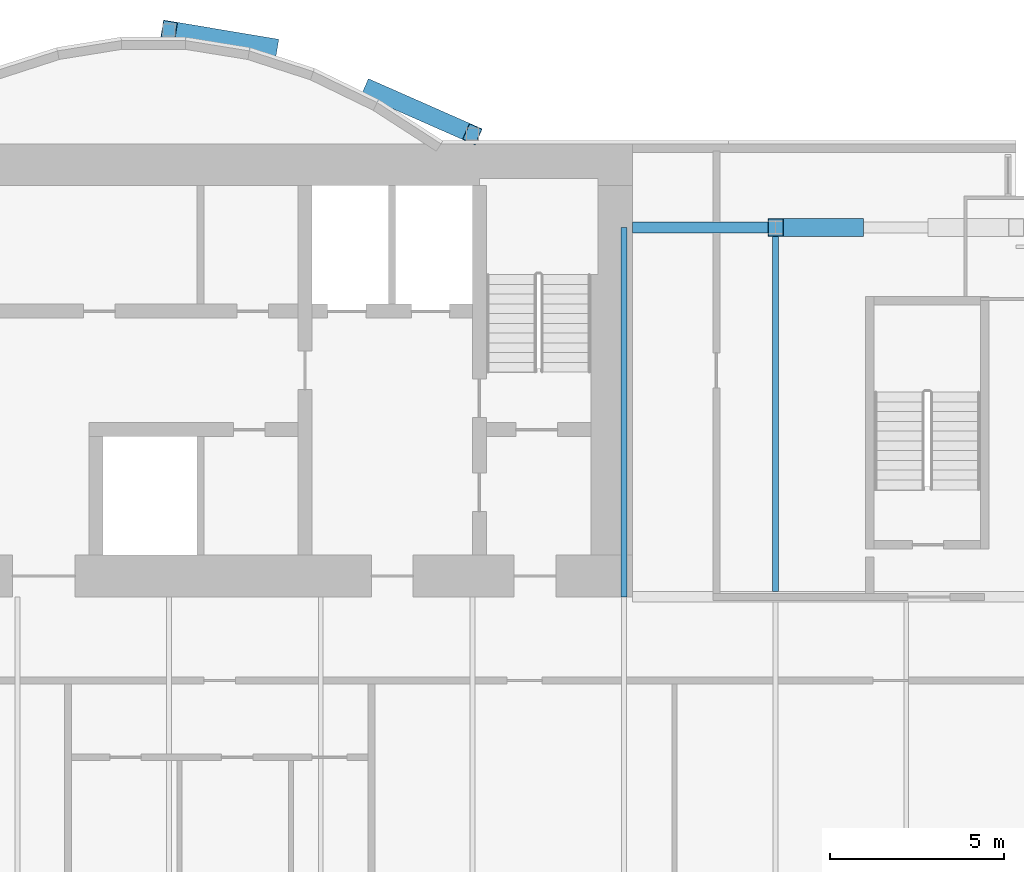
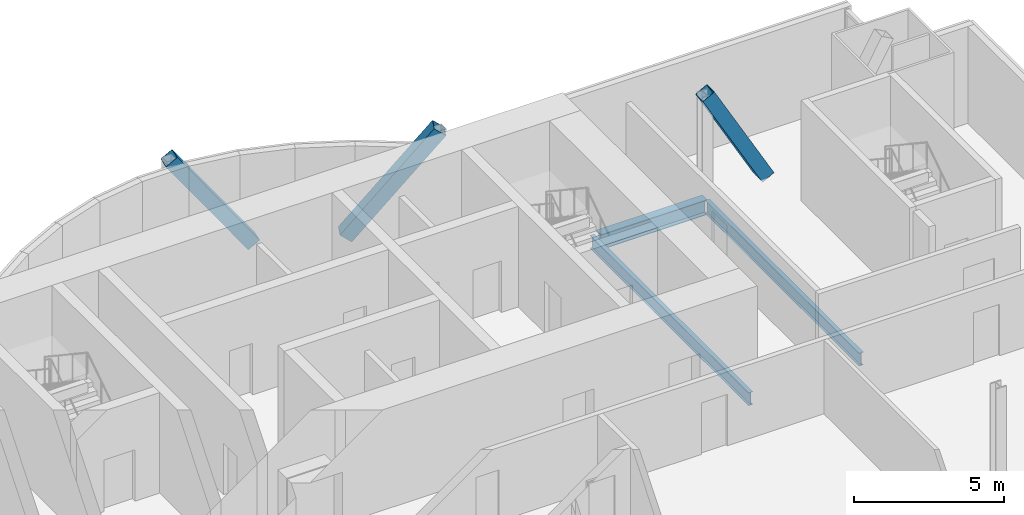
# One storey, part 11 of 21: 3 beams, 3 members.
"""IFC4 building model written with IfcOpenShell, lengths in metres."""

from ifc_helpers import new_model, si_unit, direction, frame, origin, origin_2d, place, context, subcontext, project, spatial, hollow_rectangle, i_section, extrude, material, material_profile, profile_set, type_object, element, save


model = new_model("IFC4")

# Units and contexts
model_context = context("Model", 3, precision=1e-05, world=origin(), true_north=direction((0.0, 1.0)))
body_context = subcontext(model_context, "Body", "Model", "MODEL_VIEW")
ifc_project = project(units=[si_unit("LENGTHUNIT", "METRE"), si_unit("AREAUNIT", "SQUARE_METRE"), si_unit("VOLUMEUNIT", "CUBIC_METRE"), si_unit("PLANEANGLEUNIT", "RADIAN"), si_unit("MASSUNIT", "GRAM", prefix="KILO")], contexts=[model_context])

# Site, building, storey
site_placement = place(None, origin())
site = spatial("IfcSite", under=ifc_project, at=site_placement, CompositionType="ELEMENT")
building_placement = place(site_placement, origin())
building = spatial("IfcBuilding", under=site, at=building_placement, Name="Bicima Exchange Tower", CompositionType="ELEMENT")
storey_placement = place(building_placement, frame((0.0, 0.0, 98.10009765625)))
storey = spatial("IfcBuildingStorey", under=building, at=storey_placement, Name="L20", CompositionType="ELEMENT", Elevation=98.10009765625)

# Beams
ifc_material_1 = material(Name="Steel ASTM A992 Gr 50", Category="steel")
ifc_material_profile_1 = material_profile(ifc_material_1, i_section(OverallWidth=0.165771484375, OverallDepth=0.5283203125, WebThickness=0.009765625, FlangeThickness=0.013671875, at=origin_2d()))
ifc_profile_set_1 = profile_set([ifc_material_profile_1], Name="Steel ASTM A992 Gr 50")
beam_type_1 = type_object("IfcBeamType", Name="Floor beam W21x50", PredefinedType="JOIST", material=ifc_profile_set_1)
beam_1_placement = place(storey_placement, frame((21.75, -2.39990234375, -0.414306640625), z_axis=(0.0, -1.0, 0.0), x_axis=(1.0, 0.0, 0.0)))
element("IfcBeam", 1, at=beam_1_placement, inside=storey, type_object=beam_type_1, Name="Floor beam", PredefinedType="JOIST", context=body_context, shape_type="SweptSolid", body=[
    extrude(i_section(OverallWidth=0.165771484375, OverallDepth=0.5283203125, WebThickness=0.009765625, FlangeThickness=0.013671875, at=origin_2d()), origin(), (0.0, 0.0, 1.0), 10.60009765625),
])
beam_2_placement = place(storey_placement, frame((26.10009765625, -2.5625, -0.414306640625), z_axis=(0.0, -1.0, 0.0), x_axis=(1.0, 0.0, 0.0)))
element("IfcBeam", 2, at=beam_2_placement, inside=storey, type_object=beam_type_1, Name="Floor beam", PredefinedType="JOIST", context=body_context, shape_type="SweptSolid", body=[
    extrude(i_section(OverallWidth=0.165771484375, OverallDepth=0.5283203125, WebThickness=0.009765625, FlangeThickness=0.013671875, at=origin_2d()), origin(), (0.0, 0.0, 1.0), 10.28515625),
])

# Members
ifc_material_2 = material(Name="Steel ASTM A572 Gr 50", Category="steel")
ifc_material_profile_2 = material_profile(ifc_material_2, hollow_rectangle(XDim=0.508056640625, YDim=0.508056640625, WallThickness=0.0146484375, at=origin_2d()))
ifc_profile_set_2 = profile_set([ifc_material_profile_2], Name="Steel ASTM A572 Gr 50")
member_type = type_object("IfcMemberType", Name="Mega brace HSS20x20x5/8", PredefinedType="BRACE", material=ifc_profile_set_2)
member_1_placement = place(storey_placement, frame((14.5, 1.55615234375, 0.0), z_axis=(0.559625363617, -0.246644113364, 0.79119285496), x_axis=(0.403298774981, 0.915068357063, 0.0)))
element("IfcMember", 3, at=member_1_placement, inside=storey, type_object=member_type, Name="Mega brace rexo", PredefinedType="BRACE", context=body_context, shape_type="SweptSolid", body=[
    extrude(hollow_rectangle(XDim=0.508056640625, YDim=0.508056640625, WallThickness=0.0146484375, at=origin_2d()), origin(), (0.0, 0.0, 1.0), 5.181884765625),
])
member_2_placement = place(storey_placement, frame((11.60009765625, 2.783203125, 0.0), z_axis=(-0.57481422557, 0.09629432687, 0.812598307096), x_axis=(-0.165220206918, -0.9862567025, 0.0)))
element("IfcMember", 4, at=member_2_placement, inside=storey, type_object=member_type, Name="Mega brace rexo", PredefinedType="BRACE", context=body_context, shape_type="SweptSolid", body=[
    extrude(hollow_rectangle(XDim=0.508056640625, YDim=0.508056640625, WallThickness=0.0146484375, at=origin_2d()), origin(), (0.0, 0.0, 1.0), 5.04541015625),
])
member_3_placement = place(storey_placement, frame((28.39990234375, -2.39990234375, 0.0), z_axis=(-0.48923266749, 0.0, 0.872153310526), x_axis=(0.0, -1.0, 0.0)))
element("IfcMember", 5, at=member_3_placement, inside=storey, type_object=member_type, Name="Mega brace rear", PredefinedType="BRACE", context=body_context, shape_type="SweptSolid", body=[
    extrude(hollow_rectangle(XDim=0.508056640625, YDim=0.508056640625, WallThickness=0.0146484375, at=origin_2d()), origin(), (0.0, 0.0, 1.0), 4.700927734375),
])

# Beam
ifc_material_profile_3 = material_profile(ifc_material_1, i_section(OverallWidth=0.3251953125, OverallDepth=0.612060546875, WebThickness=0.0126953125, FlangeThickness=0.01904296875, at=origin_2d()))
ifc_profile_set_3 = profile_set([ifc_material_profile_3], Name="Steel ASTM A992 Gr 50")
beam_type_2 = type_object("IfcBeamType", Name="Rear girder W24x104", PredefinedType="BEAM", material=ifc_profile_set_3)
beam_3_placement = place(storey_placement, frame((22.0, -2.39990234375, -0.456298828125), z_axis=(1.0, 0.0, 0.0), x_axis=(0.0, 1.0, 0.0)))
element("IfcBeam", 6, at=beam_3_placement, inside=storey, type_object=beam_type_2, Name="Rear girder", PredefinedType="BEAM", context=body_context, shape_type="SweptSolid", body=[
    extrude(i_section(OverallWidth=0.3251953125, OverallDepth=0.612060546875, WebThickness=0.0126953125, FlangeThickness=0.01904296875, at=origin_2d()), origin(), (0.0, 0.0, 1.0), 4.10009765625),
])

save(model, "model.ifc")
